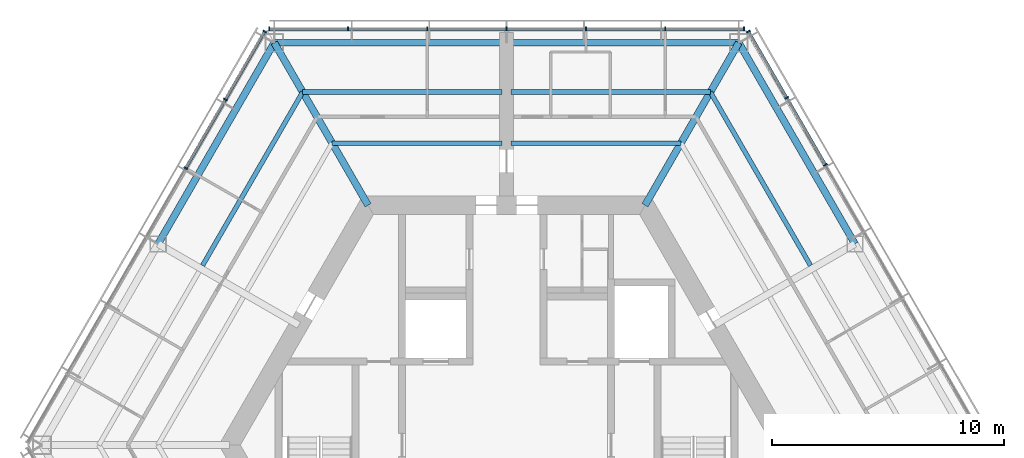
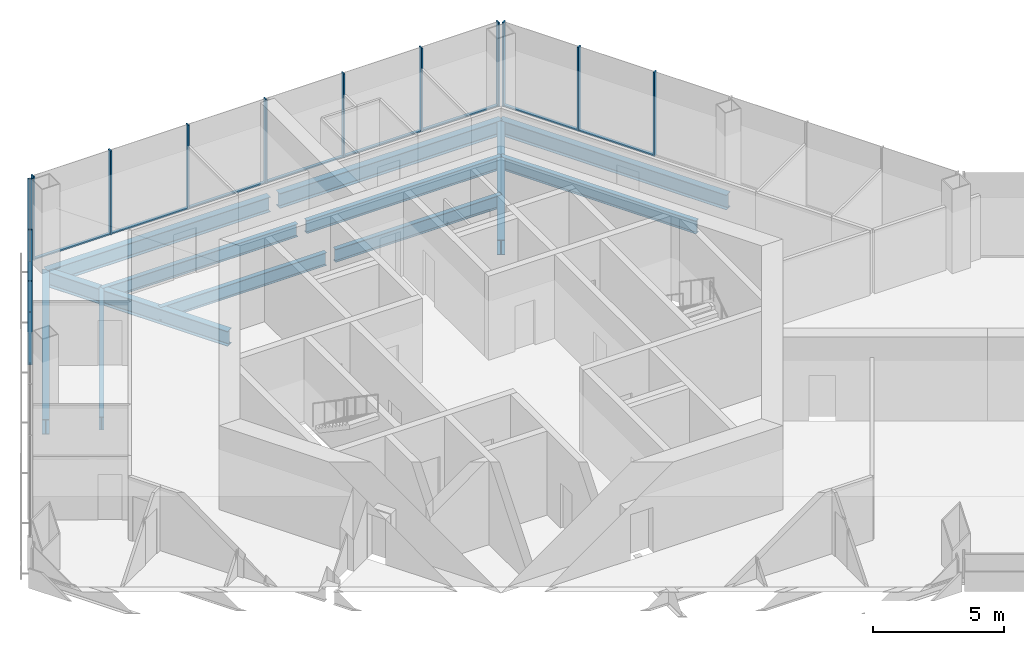
# One storey, part 5 of 13: 23 members, 12 beams, 3 elements without a shape of their own.
"""IFC4 building model written with IfcOpenShell, lengths in metres."""

from ifc_helpers import new_model, si_unit, direction, frame, origin, origin_2d, place, context, subcontext, project, spatial, rectangle, i_section, extrude, material, material_profile, profile_set, type_object, element, aggregate, save


model = new_model("IFC4")

# Units and contexts
model_context = context("Model", 3, precision=1e-05, world=origin(), true_north=direction((0.0, 1.0)))
body_context = subcontext(model_context, "Body", "Model", "MODEL_VIEW")
ifc_project = project(units=[si_unit("LENGTHUNIT", "METRE"), si_unit("AREAUNIT", "SQUARE_METRE"), si_unit("VOLUMEUNIT", "CUBIC_METRE"), si_unit("PLANEANGLEUNIT", "RADIAN"), si_unit("MASSUNIT", "GRAM", prefix="KILO")], contexts=[model_context])

# Site, building, storey
site_placement = place(None, origin())
site = spatial("IfcSite", under=ifc_project, at=site_placement, CompositionType="ELEMENT")
building_placement = place(site_placement, origin())
building = spatial("IfcBuilding", under=site, at=building_placement, Name="Kasaneha Research Tower", CompositionType="ELEMENT")
storey_placement = place(building_placement, frame((0.0, 0.0, 286.89990234375)))
storey = spatial("IfcBuildingStorey", under=building, at=storey_placement, Name="L72", CompositionType="ELEMENT", Elevation=286.89990234375)

# Beams
ifc_material_1 = material(Name="Steel SN490B", Category="steel")
ifc_material_profile_1 = material_profile(ifc_material_1, i_section(OverallWidth=0.199951171875, OverallDepth=0.60009765625, WebThickness=0.010986328125, FlangeThickness=0.01708984375, FilletRadius=0.012939453125, at=origin_2d()), Name="H-600x200x11x17")
ifc_profile_set_1 = profile_set([ifc_material_profile_1], Name="Steel SN490B")
beam_type_1 = type_object("IfcBeamType", Name="B1-3 secondary beam H-600x200x11x17", PredefinedType="JOIST", material=ifc_profile_set_1)
beam_1_placement = place(storey_placement, frame((8.775634765625, 15.199951171875, -0.449951171875), z_axis=(0.500017275495, -0.866015429543, 0.0), x_axis=(0.866015429543, 0.500017275495, 0.0)))
element("IfcBeam", 1, at=beam_1_placement, inside=storey, type_object=beam_type_1, Name="Secondary beam RS030R2 L72", PredefinedType="JOIST", context=body_context, shape_type="SweptSolid", body=[
    extrude(i_section(OverallWidth=0.199951171875, OverallDepth=0.60009765625, WebThickness=0.010986328125, FlangeThickness=0.01708984375, FilletRadius=0.012939453125, at=origin_2d()), origin(), (0.0, 0.0, 1.0), 8.625732421875),
])
beam_2_placement = place(storey_placement, frame((7.505615234375, 13.0, -0.449951171875), z_axis=(-1.0, 0.0, 0.0), x_axis=(0.0, -1.0, 0.0)))
element("IfcBeam", 2, at=beam_2_placement, inside=storey, type_object=beam_type_1, Name="Secondary beam RS090L1 L72", PredefinedType="JOIST", context=body_context, shape_type="SweptSolid", body=[
    extrude(i_section(OverallWidth=0.199951171875, OverallDepth=0.60009765625, WebThickness=0.010986328125, FlangeThickness=0.01708984375, FilletRadius=0.012939453125, at=origin_2d()), origin(), (0.0, 0.0, 1.0), 7.3056640625),
])
beam_3_placement = place(storey_placement, frame((8.775634765625, 15.199951171875, -0.449951171875), z_axis=(-1.0, 0.0, 0.0), x_axis=(0.0, -1.0, 0.0)))
element("IfcBeam", 3, at=beam_3_placement, inside=storey, type_object=beam_type_1, Name="Secondary beam RS090L2 L72", PredefinedType="JOIST", context=body_context, shape_type="SweptSolid", body=[
    extrude(i_section(OverallWidth=0.199951171875, OverallDepth=0.60009765625, WebThickness=0.010986328125, FlangeThickness=0.01708984375, FilletRadius=0.012939453125, at=origin_2d()), origin(), (0.0, 0.0, 1.0), 8.57568359375),
])
beam_4_placement = place(storey_placement, frame((-7.505615234375, 13.0, -0.449951171875), z_axis=(1.0, 0.0, 0.0), x_axis=(0.0, 1.0, 0.0)))
element("IfcBeam", 4, at=beam_4_placement, inside=storey, type_object=beam_type_1, Name="Secondary beam RS090R1 L72", PredefinedType="JOIST", context=body_context, shape_type="SweptSolid", body=[
    extrude(i_section(OverallWidth=0.199951171875, OverallDepth=0.60009765625, WebThickness=0.010986328125, FlangeThickness=0.01708984375, FilletRadius=0.012939453125, at=origin_2d()), origin(), (0.0, 0.0, 1.0), 7.3056640625),
])
beam_5_placement = place(storey_placement, frame((-8.775634765625, 15.199951171875, -0.449951171875), z_axis=(1.0, 0.0, 0.0), x_axis=(0.0, 1.0, 0.0)))
element("IfcBeam", 5, at=beam_5_placement, inside=storey, type_object=beam_type_1, Name="Secondary beam RS090R2 L72", PredefinedType="JOIST", context=body_context, shape_type="SweptSolid", body=[
    extrude(i_section(OverallWidth=0.199951171875, OverallDepth=0.60009765625, WebThickness=0.010986328125, FlangeThickness=0.01708984375, FilletRadius=0.012939453125, at=origin_2d()), origin(), (0.0, 0.0, 1.0), 8.57568359375),
])
beam_6_placement = place(storey_placement, frame((-8.775634765625, 15.199951171875, -0.449951171875), z_axis=(-0.500017275495, -0.866015429543, 0.0), x_axis=(0.866015429543, -0.500017275495, 0.0)))
element("IfcBeam", 6, at=beam_6_placement, inside=storey, type_object=beam_type_1, Name="Secondary beam RS150L2 L72", PredefinedType="JOIST", context=body_context, shape_type="SweptSolid", body=[
    extrude(i_section(OverallWidth=0.199951171875, OverallDepth=0.60009765625, WebThickness=0.010986328125, FlangeThickness=0.01708984375, FilletRadius=0.012939453125, at=origin_2d()), origin(), (0.0, 0.0, 1.0), 8.625732421875),
])

# Curtain wall, members
ifc_material_2 = material(Name="Glass and aluminium", Category="aluminium")
curtain_wall_type = type_object("IfcCurtainWallType", Name="Crown curtain wall", PredefinedType="USERDEFINED", material=ifc_material_2)
curtain_wall_1_placement = place(storey_placement, origin())
curtain_wall_1 = element("IfcCurtainWall", 7, at=curtain_wall_1_placement, inside=storey, type_object=curtain_wall_type, Name="CW-C L72 run 01a", ObjectType="UNITISED CURTAIN WALL", PredefinedType="USERDEFINED")
ifc_material_3 = material(Name="Aluminium 6063-T6", Category="aluminium")
ifc_material_profile_2 = material_profile(ifc_material_3, rectangle(XDim=0.06005859375, YDim=0.179931640625, at=origin_2d()), Name="CW-C mullion 60x180")
ifc_profile_set_2 = profile_set([ifc_material_profile_2], Name="Aluminium 6063-T6")
member_type_1 = type_object("IfcMemberType", Name="CW-C mullion", PredefinedType="MULLION", material=ifc_profile_set_2)
member_1_placement = place(storey_placement, frame((13.727294921875, 12.064453125, 0.0), z_axis=(0.0, 0.0, 1.0), x_axis=(-0.499999979232, 0.866025415775, 0.0)))
member_1 = element("IfcMember", 8, at=member_1_placement, type_object=member_type_1, Name="CW-C mullion 5", PredefinedType="MULLION", context=body_context, shape_type="SweptSolid", body=[
    extrude(rectangle(XDim=0.06005859375, YDim=0.179931640625, at=origin_2d()), origin(), (0.0, 0.0, 1.0), 3.900146484375),
])
member_2_placement = place(storey_placement, frame((12.061767578125, 14.94921875, 0.0), z_axis=(0.0, 0.0, 1.0), x_axis=(-0.499999979232, 0.866025415775, 0.0)))
member_2 = element("IfcMember", 9, at=member_2_placement, type_object=member_type_1, Name="CW-C mullion 6", PredefinedType="MULLION", context=body_context, shape_type="SweptSolid", body=[
    extrude(rectangle(XDim=0.06005859375, YDim=0.179931640625, at=origin_2d()), origin(), (0.0, 0.0, 1.0), 3.900146484375),
])
member_3_placement = place(storey_placement, frame((10.411376953125, 17.807861328125, 0.0), z_axis=(0.0, 0.0, 1.0), x_axis=(-0.499999979232, 0.866025415775, 0.0)))
member_3 = element("IfcMember", 10, at=member_3_placement, type_object=member_type_1, Name="CW-C mullion 7", PredefinedType="MULLION", context=body_context, shape_type="SweptSolid", body=[
    extrude(rectangle(XDim=0.06005859375, YDim=0.179931640625, at=origin_2d()), origin(), (0.0, 0.0, 1.0), 3.900146484375),
])

curtain_wall_2_placement = place(storey_placement, origin())
curtain_wall_2 = element("IfcCurtainWall", 11, at=curtain_wall_2_placement, inside=storey, type_object=curtain_wall_type, Name="CW-C L72 run 02a", ObjectType="UNITISED CURTAIN WALL", PredefinedType="USERDEFINED")
member_4_placement = place(storey_placement, frame((10.21630859375, 17.92041015625, 0.0), z_axis=(0.0, 0.0, 1.0), x_axis=(-1.0, 0.0, 0.0)))
member_4 = element("IfcMember", 12, at=member_4_placement, type_object=member_type_1, Name="CW-C mullion 1", PredefinedType="MULLION", context=body_context, shape_type="SweptSolid", body=[
    extrude(rectangle(XDim=0.06005859375, YDim=0.179931640625, at=origin_2d()), origin(), (0.0, 0.0, 1.0), 3.900146484375),
])
member_5_placement = place(storey_placement, frame((6.8310546875, 17.92041015625, 0.0), z_axis=(0.0, 0.0, 1.0), x_axis=(-1.0, 0.0, 0.0)))
member_5 = element("IfcMember", 13, at=member_5_placement, type_object=member_type_1, Name="CW-C mullion 2", PredefinedType="MULLION", context=body_context, shape_type="SweptSolid", body=[
    extrude(rectangle(XDim=0.06005859375, YDim=0.179931640625, at=origin_2d()), origin(), (0.0, 0.0, 1.0), 3.900146484375),
])
member_6_placement = place(storey_placement, frame((3.41552734375, 17.92041015625, 0.0), z_axis=(0.0, 0.0, 1.0), x_axis=(-1.0, 0.0, 0.0)))
member_6 = element("IfcMember", 14, at=member_6_placement, type_object=member_type_1, Name="CW-C mullion 3", PredefinedType="MULLION", context=body_context, shape_type="SweptSolid", body=[
    extrude(rectangle(XDim=0.06005859375, YDim=0.179931640625, at=origin_2d()), origin(), (0.0, 0.0, 1.0), 3.900146484375),
])
member_7_placement = place(storey_placement, frame((0.0, 17.92041015625, 0.0), z_axis=(0.0, 0.0, 1.0), x_axis=(-1.0, 0.0, 0.0)))
member_7 = element("IfcMember", 15, at=member_7_placement, type_object=member_type_1, Name="CW-C mullion 4", PredefinedType="MULLION", context=body_context, shape_type="SweptSolid", body=[
    extrude(rectangle(XDim=0.06005859375, YDim=0.179931640625, at=origin_2d()), origin(), (0.0, 0.0, 1.0), 3.900146484375),
])
member_8_placement = place(storey_placement, frame((-3.41552734375, 17.92041015625, 0.0), z_axis=(0.0, 0.0, 1.0), x_axis=(-1.0, 0.0, 0.0)))
member_8 = element("IfcMember", 16, at=member_8_placement, type_object=member_type_1, Name="CW-C mullion 5", PredefinedType="MULLION", context=body_context, shape_type="SweptSolid", body=[
    extrude(rectangle(XDim=0.06005859375, YDim=0.179931640625, at=origin_2d()), origin(), (0.0, 0.0, 1.0), 3.900146484375),
])
member_9_placement = place(storey_placement, frame((-6.8310546875, 17.92041015625, 0.0), z_axis=(0.0, 0.0, 1.0), x_axis=(-1.0, 0.0, 0.0)))
member_9 = element("IfcMember", 17, at=member_9_placement, type_object=member_type_1, Name="CW-C mullion 6", PredefinedType="MULLION", context=body_context, shape_type="SweptSolid", body=[
    extrude(rectangle(XDim=0.06005859375, YDim=0.179931640625, at=origin_2d()), origin(), (0.0, 0.0, 1.0), 3.900146484375),
])
member_10_placement = place(storey_placement, frame((-10.21630859375, 17.92041015625, 0.0), z_axis=(0.0, 0.0, 1.0), x_axis=(-1.0, 0.0, 0.0)))
member_10 = element("IfcMember", 18, at=member_10_placement, type_object=member_type_1, Name="CW-C mullion 7", PredefinedType="MULLION", context=body_context, shape_type="SweptSolid", body=[
    extrude(rectangle(XDim=0.06005859375, YDim=0.179931640625, at=origin_2d()), origin(), (0.0, 0.0, 1.0), 3.900146484375),
])

curtain_wall_3_placement = place(storey_placement, origin())
curtain_wall_3 = element("IfcCurtainWall", 19, at=curtain_wall_3_placement, inside=storey, type_object=curtain_wall_type, Name="CW-C L72 run 03a", ObjectType="UNITISED CURTAIN WALL", PredefinedType="USERDEFINED")
member_11_placement = place(storey_placement, frame((-10.411376953125, 17.807861328125, 0.0), z_axis=(0.0, 0.0, 1.0), x_axis=(-0.499999995722, -0.866025406254, 0.0)))
member_11 = element("IfcMember", 20, at=member_11_placement, type_object=member_type_1, Name="CW-C mullion 1", PredefinedType="MULLION", context=body_context, shape_type="SweptSolid", body=[
    extrude(rectangle(XDim=0.06005859375, YDim=0.179931640625, at=origin_2d()), origin(), (0.0, 0.0, 1.0), 3.900146484375),
])
member_12_placement = place(storey_placement, frame((-12.104248046875, 14.8759765625, 0.0), z_axis=(0.0, 0.0, 1.0), x_axis=(-0.499999995722, -0.866025406254, 0.0)))
member_12 = element("IfcMember", 21, at=member_12_placement, type_object=member_type_1, Name="CW-C mullion 2", PredefinedType="MULLION", context=body_context, shape_type="SweptSolid", body=[
    extrude(rectangle(XDim=0.06005859375, YDim=0.179931640625, at=origin_2d()), origin(), (0.0, 0.0, 1.0), 3.900146484375),
])
member_13_placement = place(storey_placement, frame((-13.811767578125, 11.918212890625, 0.0), z_axis=(0.0, 0.0, 1.0), x_axis=(-0.499999995722, -0.866025406254, 0.0)))
member_13 = element("IfcMember", 22, at=member_13_placement, type_object=member_type_1, Name="CW-C mullion 3", PredefinedType="MULLION", context=body_context, shape_type="SweptSolid", body=[
    extrude(rectangle(XDim=0.06005859375, YDim=0.179931640625, at=origin_2d()), origin(), (0.0, 0.0, 1.0), 3.900146484375),
])

# Member
ifc_material_4 = material(Name="Aluminium 6063-T6", Category="aluminium")
ifc_material_profile_3 = material_profile(ifc_material_4, rectangle(XDim=0.1298828125, YDim=0.06005859375, at=origin_2d()), Name="CW-C transom 130x60")
ifc_profile_set_3 = profile_set([ifc_material_profile_3], Name="Aluminium 6063-T6")
member_type_2 = type_object("IfcMemberType", Name="CW-C transom", PredefinedType="USERDEFINED", material=ifc_profile_set_3)
member_14_placement = place(storey_placement, frame((13.71240234375, 12.090576171875, 0.030029296875), z_axis=(-0.500000270186, 0.866025247793, 0.0), x_axis=(-0.866025247793, -0.500000270186, 0.0)))
member_14 = element("IfcMember", 23, at=member_14_placement, type_object=member_type_2, Name="CW-C transom 5", ObjectType="TRANSOM", PredefinedType="USERDEFINED", context=body_context, shape_type="SweptSolid", body=[
    extrude(rectangle(XDim=0.1298828125, YDim=0.06005859375, at=origin_2d()), origin(), (0.0, 0.0, 1.0), 3.27099609375),
])

member_15_placement = place(storey_placement, frame((12.046875, 14.97509765625, 0.030029296875), z_axis=(-0.499955025697, 0.866051368154, 0.0), x_axis=(-0.866051368154, -0.499955025697, 0.0)))
member_15 = element("IfcMember", 24, at=member_15_placement, type_object=member_type_2, Name="CW-C transom 6", ObjectType="TRANSOM", PredefinedType="USERDEFINED", context=body_context, shape_type="SweptSolid", body=[
    extrude(rectangle(XDim=0.1298828125, YDim=0.06005859375, at=origin_2d()), origin(), (0.0, 0.0, 1.0), 3.240966796875),
])

aggregate(curtain_wall_1, [member_1, member_2, member_3, member_14, member_15])

member_16_placement = place(storey_placement, frame((10.1865234375, 17.92041015625, 0.030029296875), z_axis=(-1.0, 0.0, 0.0), x_axis=(0.0, -1.0, 0.0)))
member_16 = element("IfcMember", 25, at=member_16_placement, type_object=member_type_2, Name="CW-C transom 1", ObjectType="TRANSOM", PredefinedType="USERDEFINED", context=body_context, shape_type="SweptSolid", body=[
    extrude(rectangle(XDim=0.1298828125, YDim=0.06005859375, at=origin_2d()), origin(), (0.0, 0.0, 1.0), 3.32568359375),
])

member_17_placement = place(storey_placement, frame((6.801025390625, 17.92041015625, 0.030029296875), z_axis=(-1.0, 0.0, 0.0), x_axis=(0.0, -1.0, 0.0)))
member_17 = element("IfcMember", 26, at=member_17_placement, type_object=member_type_2, Name="CW-C transom 2", ObjectType="TRANSOM", PredefinedType="USERDEFINED", context=body_context, shape_type="SweptSolid", body=[
    extrude(rectangle(XDim=0.1298828125, YDim=0.06005859375, at=origin_2d()), origin(), (0.0, 0.0, 1.0), 3.35546875),
])

member_18_placement = place(storey_placement, frame((3.385498046875, 17.92041015625, 0.030029296875), z_axis=(-1.0, 0.0, 0.0), x_axis=(0.0, -1.0, 0.0)))
member_18 = element("IfcMember", 27, at=member_18_placement, type_object=member_type_2, Name="CW-C transom 3", ObjectType="TRANSOM", PredefinedType="USERDEFINED", context=body_context, shape_type="SweptSolid", body=[
    extrude(rectangle(XDim=0.1298828125, YDim=0.06005859375, at=origin_2d()), origin(), (0.0, 0.0, 1.0), 3.35546875),
])

member_19_placement = place(storey_placement, frame((-0.030029296875, 17.92041015625, 0.030029296875), z_axis=(-1.0, 0.0, 0.0), x_axis=(0.0, -1.0, 0.0)))
member_19 = element("IfcMember", 28, at=member_19_placement, type_object=member_type_2, Name="CW-C transom 4", ObjectType="TRANSOM", PredefinedType="USERDEFINED", context=body_context, shape_type="SweptSolid", body=[
    extrude(rectangle(XDim=0.1298828125, YDim=0.06005859375, at=origin_2d()), origin(), (0.0, 0.0, 1.0), 3.35546875),
])

member_20_placement = place(storey_placement, frame((-3.445556640625, 17.92041015625, 0.030029296875), z_axis=(-1.0, 0.0, 0.0), x_axis=(0.0, -1.0, 0.0)))
member_20 = element("IfcMember", 29, at=member_20_placement, type_object=member_type_2, Name="CW-C transom 5", ObjectType="TRANSOM", PredefinedType="USERDEFINED", context=body_context, shape_type="SweptSolid", body=[
    extrude(rectangle(XDim=0.1298828125, YDim=0.06005859375, at=origin_2d()), origin(), (0.0, 0.0, 1.0), 3.35546875),
])

member_21_placement = place(storey_placement, frame((-6.86083984375, 17.92041015625, 0.030029296875), z_axis=(-1.0, 0.0, 0.0), x_axis=(0.0, -1.0, 0.0)))
member_21 = element("IfcMember", 30, at=member_21_placement, type_object=member_type_2, Name="CW-C transom 6", ObjectType="TRANSOM", PredefinedType="USERDEFINED", context=body_context, shape_type="SweptSolid", body=[
    extrude(rectangle(XDim=0.1298828125, YDim=0.06005859375, at=origin_2d()), origin(), (0.0, 0.0, 1.0), 3.32568359375),
])

aggregate(curtain_wall_2, [member_4, member_5, member_6, member_7, member_8, member_9, member_10, member_16, member_17, member_18, member_19, member_20, member_21])

member_22_placement = place(storey_placement, frame((-10.426513671875, 17.781982421875, 0.030029296875), z_axis=(-0.49997666526, -0.866038875684, 0.0), x_axis=(0.866038875684, -0.49997666526, 0.0)))
member_22 = element("IfcMember", 31, at=member_22_placement, type_object=member_type_2, Name="CW-C transom 1", ObjectType="TRANSOM", PredefinedType="USERDEFINED", context=body_context, shape_type="SweptSolid", body=[
    extrude(rectangle(XDim=0.1298828125, YDim=0.06005859375, at=origin_2d()), origin(), (0.0, 0.0, 1.0), 3.325439453125),
])

member_23_placement = place(storey_placement, frame((-12.119140625, 14.85009765625, 0.030029296875), z_axis=(-0.499989072476, -0.866031712701, 0.0), x_axis=(0.866031712701, -0.499989072476, 0.0)))
member_23 = element("IfcMember", 32, at=member_23_placement, type_object=member_type_2, Name="CW-C transom 2", ObjectType="TRANSOM", PredefinedType="USERDEFINED", context=body_context, shape_type="SweptSolid", body=[
    extrude(rectangle(XDim=0.1298828125, YDim=0.06005859375, at=origin_2d()), origin(), (0.0, 0.0, 1.0), 3.35546875),
])

aggregate(curtain_wall_3, [member_11, member_12, member_13, member_22, member_23])

# Beams
ifc_material_5 = material(Name="Steel SN490B", Category="steel")
ifc_material_profile_4 = material_profile(ifc_material_5, i_section(OverallWidth=0.300048828125, OverallDepth=0.699951171875, WebThickness=0.012939453125, FlangeThickness=0.02392578125, FilletRadius=0.01806640625, at=origin_2d()), Name="H-700x300x13x24")
ifc_profile_set_4 = profile_set([ifc_material_profile_4], Name="Steel SN490B")
beam_type_2 = type_object("IfcBeamType", Name="G1-3 radial girder H-700x300x13x24", PredefinedType="BEAM", material=ifc_profile_set_4)
for number, where, z_axis, x_axis, name in (
    (33, (5.961181640625, 10.324951171875, -0.5), (0.49999105496, 0.866030568144, 0.0), (-0.866030568144, 0.49999105496, 0.0), "Radial girder RV060 L72"),
    (34, (-5.961181640625, 10.324951171875, -0.5), (-0.49999105496, 0.866030568144, 0.0), (-0.866030568144, -0.49999105496, 0.0), "Radial girder RV120 L72"),
):
    element("IfcBeam", number, at=place(storey_placement, frame(where, z_axis=z_axis, x_axis=x_axis)), inside=storey, type_object=beam_type_2, Name=name, PredefinedType="BEAM", context=body_context, shape_type="SweptSolid", body=[
        extrude(i_section(OverallWidth=0.300048828125, OverallDepth=0.699951171875, WebThickness=0.012939453125, FlangeThickness=0.02392578125, FilletRadius=0.01806640625, at=origin_2d()), origin(), (0.0, 0.0, 1.0), 8.077880859375),
    ])
ifc_material_6 = material(Name="Steel SN490B", Category="steel")
ifc_material_profile_5 = material_profile(ifc_material_6, i_section(OverallWidth=0.300048828125, OverallDepth=0.69189453125, WebThickness=0.012939453125, FlangeThickness=0.02001953125, FilletRadius=0.01806640625, at=origin_2d()), Name="H-692x300x13x20")
ifc_profile_set_5 = profile_set([ifc_material_profile_5], Name="Steel SN490B")
beam_type_3 = type_object("IfcBeamType", Name="G3-3 plate edge girder H-692x300x13x20", PredefinedType="BEAM", material=ifc_profile_set_5)
for number, where, z_axis, x_axis, name in (
    (35, (10.0, 17.320556640625, -0.495849609375), (-1.0, 0.0, 0.0), (0.0, -1.0, 0.0), "Plate edge girder PEAP L72"),
    (36, (-10.0, 17.320556640625, -0.495849609375), (1.0, 0.0, 0.0), (0.0, 1.0, 0.0), "Plate edge girder PEAN L72"),
):
    element("IfcBeam", number, at=place(storey_placement, frame(where, z_axis=z_axis, x_axis=x_axis)), inside=storey, type_object=beam_type_3, Name=name, PredefinedType="BEAM", context=body_context, shape_type="SweptSolid", body=[
        extrude(i_section(OverallWidth=0.300048828125, OverallDepth=0.69189453125, WebThickness=0.012939453125, FlangeThickness=0.02001953125, FilletRadius=0.01806640625, at=origin_2d()), origin(), (0.0, 0.0, 1.0), 9.800048828125),
    ])
ifc_material_7 = material(Name="Steel SN490B", Category="steel")
ifc_material_profile_6 = material_profile(ifc_material_7, i_section(OverallWidth=0.300048828125, OverallDepth=0.69189453125, WebThickness=0.012939453125, FlangeThickness=0.02001953125, FilletRadius=0.01806640625, at=origin_2d()), Name="H-692x300x13x20")
ifc_profile_set_6 = profile_set([ifc_material_profile_6], Name="Steel SN490B")
beam_type_4 = type_object("IfcBeamType", Name="SB1-3 spandrel beam H-692x300x13x20", PredefinedType="SPANDREL", material=ifc_profile_set_6)
for number, where, z_axis, x_axis, name in (
    (37, (10.0, 17.320556640625, -0.495849609375), (0.499993662806, -0.866029062534, 0.0), (0.866029062534, 0.499993662806, 0.0), "Spandrel beam SR030R L72"),
    (38, (-10.0, 17.320556640625, -0.495849609375), (-0.499993662806, -0.866029062534, 0.0), (0.866029062534, -0.499993662806, 0.0), "Spandrel beam SR150L L72"),
):
    element("IfcBeam", number, at=place(storey_placement, frame(where, z_axis=z_axis, x_axis=x_axis)), inside=storey, type_object=beam_type_4, Name=name, PredefinedType="SPANDREL", context=body_context, shape_type="SweptSolid", body=[
        extrude(i_section(OverallWidth=0.300048828125, OverallDepth=0.69189453125, WebThickness=0.012939453125, FlangeThickness=0.02001953125, FilletRadius=0.01806640625, at=origin_2d()), origin(), (0.0, 0.0, 1.0), 10.000244140625),
    ])

save(model, "model.ifc")
